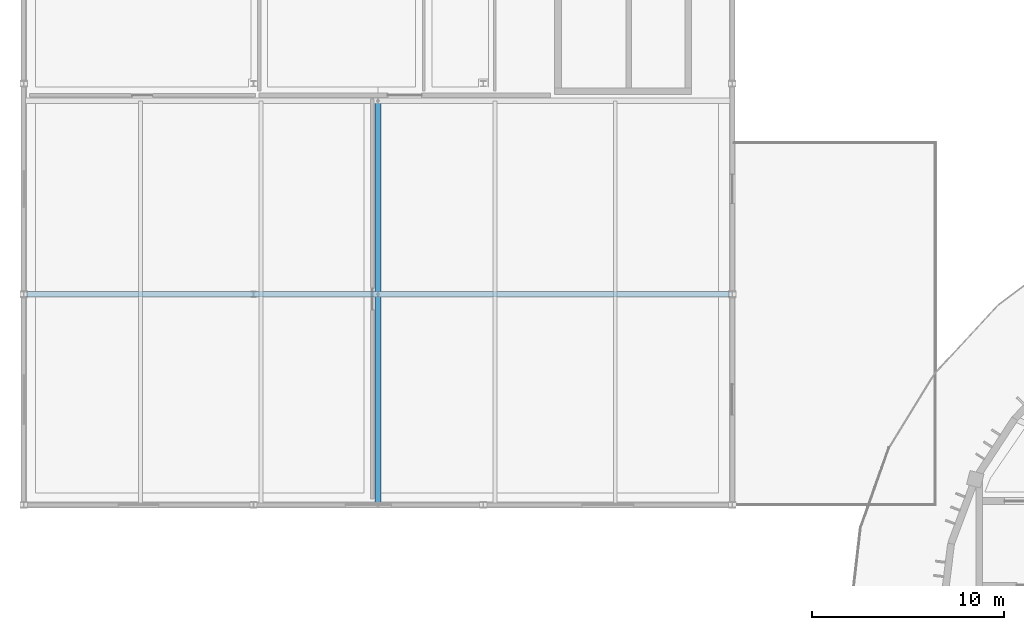
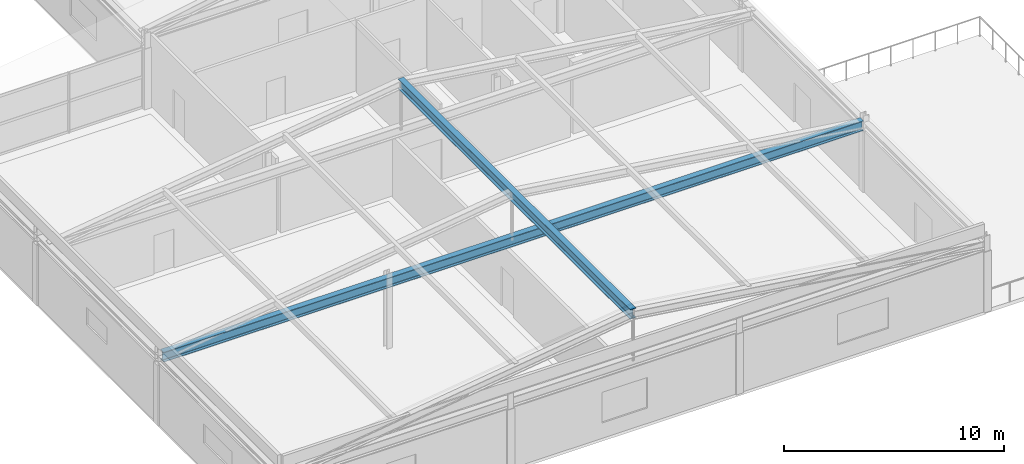
# One storey, part 13 of 63: 2 beams.
"""IFC4 building model written with IfcOpenShell, lengths in metres."""

from ifc_helpers import new_model, si_unit, direction, frame, origin, origin_2d, place, context, subcontext, project, spatial, i_section, extrude, material, material_profile, profile_set, type_object, element, save


model = new_model("IFC4")

# Units and contexts
model_context = context("Model", 3, precision=1e-05, world=origin(), true_north=direction((0.0, 1.0)))
body_context = subcontext(model_context, "Body", "Model", "MODEL_VIEW")
ifc_project = project(units=[si_unit("LENGTHUNIT", "METRE"), si_unit("AREAUNIT", "SQUARE_METRE"), si_unit("VOLUMEUNIT", "CUBIC_METRE"), si_unit("PLANEANGLEUNIT", "RADIAN"), si_unit("MASSUNIT", "GRAM", prefix="KILO")], contexts=[model_context])

# Site, building, storey
site_placement = place(None, origin())
site = spatial("IfcSite", under=ifc_project, at=site_placement, CompositionType="ELEMENT")
building_placement = place(site_placement, origin())
building = spatial("IfcBuilding", under=site, at=building_placement, Name="Tarnveldt Headland Concert Hall", CompositionType="ELEMENT")
storey_placement = place(building_placement, frame((0.0, 0.0, 14.39990234375)))
storey = spatial("IfcBuildingStorey", under=building, at=storey_placement, Name="L03", CompositionType="ELEMENT", Elevation=14.39990234375)

# Beams
ifc_material = material(Name="Steel S355", Category="steel")
ifc_material_profile = material_profile(ifc_material, i_section(OverallWidth=0.300048828125, OverallDepth=0.550048828125, WebThickness=0.014892578125, FlangeThickness=0.029052734375, FilletRadius=0.027099609375, at=origin_2d()), Name="HEB550", Category="steel")
ifc_profile_set = profile_set([ifc_material_profile], Name="Steel S355")
beam_type = type_object("IfcBeamType", Name="SB-HEB550", PredefinedType="BEAM", material=ifc_profile_set)
beam_1_placement = place(storey_placement, frame((26.0, 60.0, 6.260009765625), z_axis=(0.0, 1.0, 0.0), x_axis=(-1.0, 0.0, 0.0)))
element("IfcBeam", 1, at=beam_1_placement, inside=storey, type_object=beam_type, Name="Rehearsal roof ridge girder S", PredefinedType="BEAM", context=body_context, shape_type="SweptSolid", body=[
    extrude(i_section(OverallWidth=0.300048828125, OverallDepth=0.550048828125, WebThickness=0.014892578125, FlangeThickness=0.029052734375, FilletRadius=0.027099609375, at=origin_2d()), origin(), (0.0, 0.0, 1.0), 21.10009765625),
])
beam_2_placement = place(storey_placement, frame((7.64990234375, 71.0, 3.68017578125), z_axis=(1.0, 0.0, 0.0), x_axis=(0.0, 1.0, 0.0)))
element("IfcBeam", 2, at=beam_2_placement, inside=storey, type_object=beam_type, Name="ROOF TRUSS bottom tie girder S-2", PredefinedType="BEAM", context=body_context, shape_type="SweptSolid", body=[
    extrude(i_section(OverallWidth=0.300048828125, OverallDepth=0.550048828125, WebThickness=0.014892578125, FlangeThickness=0.029052734375, FilletRadius=0.027099609375, at=origin_2d()), origin(), (0.0, 0.0, 1.0), 36.7001953125),
])

save(model, "model.ifc")
